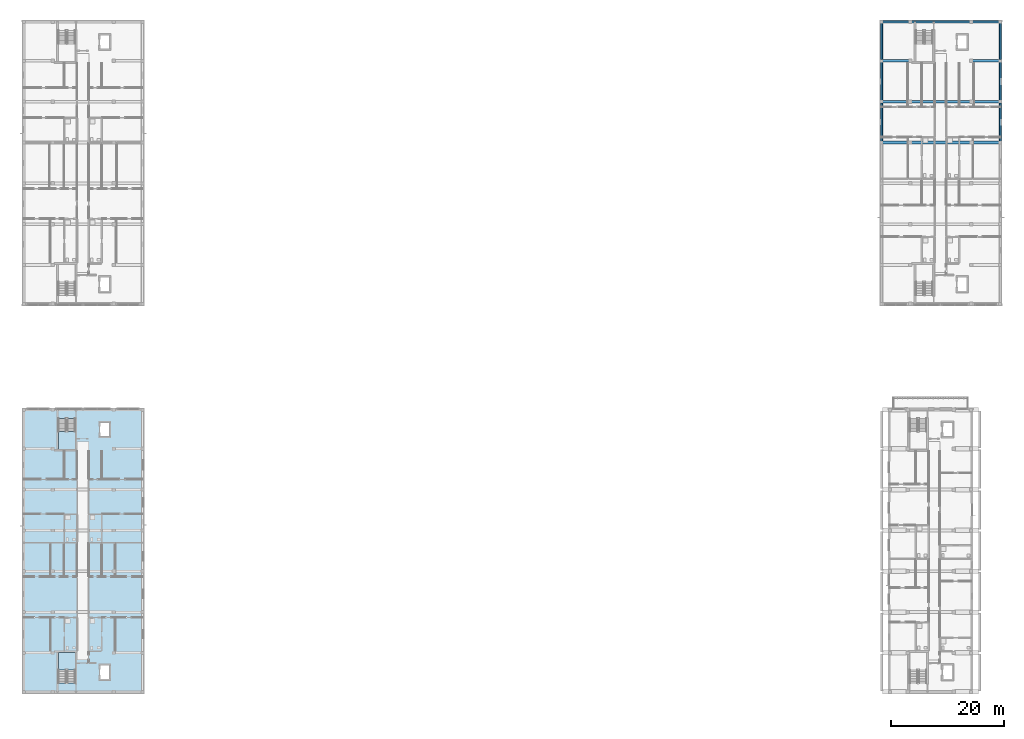
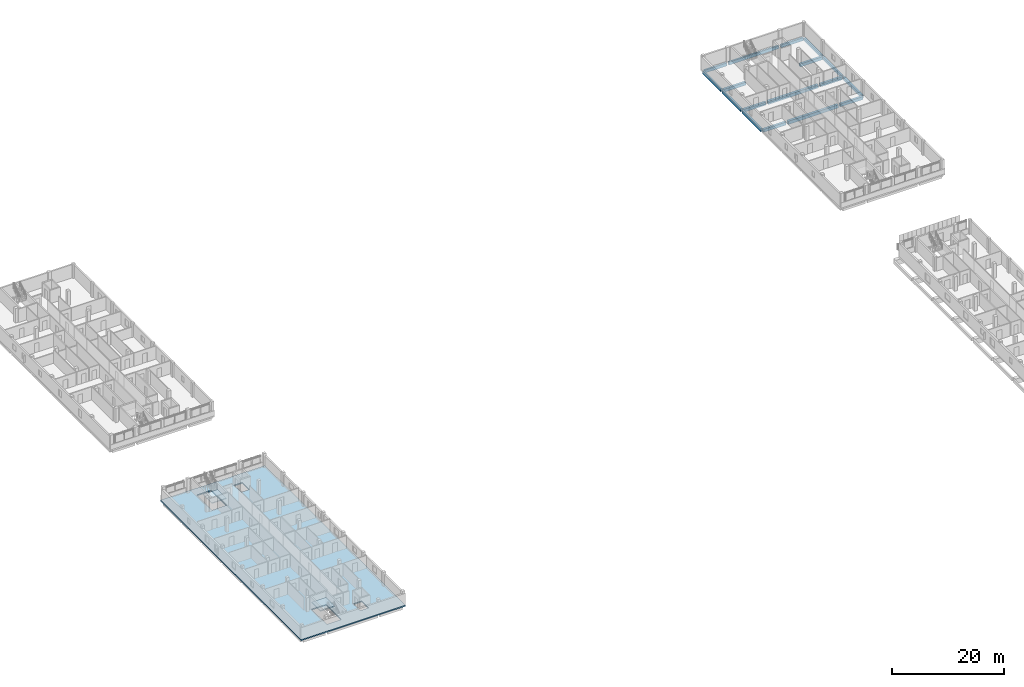
# One storey, part 9 of 38: 17 beams, 3 slabs, 2 elements without a shape of their own.
"""IFC4 building model written with IfcOpenShell, lengths in metres."""

from ifc_helpers import new_model, si_unit, derived_unit, direction, frame, origin, origin_2d, place, context, subcontext, project, spatial, polyline, rectangle, outline, extrude, material, layer, layer_set, material_profile, profile_set, type_object, element, aggregate, save


model = new_model("IFC4")

# Units and contexts
model_context = context("Model", 3, precision=1e-05, world=origin(), true_north=direction((0.0, 1.0)))
body_context = subcontext(model_context, "Body", "Model", "MODEL_VIEW")
ifc_project = project(units=[si_unit("LENGTHUNIT", "METRE"), si_unit("AREAUNIT", "SQUARE_METRE"), si_unit("VOLUMEUNIT", "CUBIC_METRE"), si_unit("PLANEANGLEUNIT", "RADIAN"), si_unit("MASSUNIT", "GRAM", prefix="KILO"), derived_unit("THERMALTRANSMITTANCEUNIT", [(si_unit("MASSUNIT", "GRAM", prefix="KILO"), 1), (si_unit("TIMEUNIT", "SECOND"), -3), (si_unit("THERMODYNAMICTEMPERATUREUNIT", "KELVIN"), -1)])], contexts=[model_context])

# Site, building, storey
site_placement = place(None, origin())
site = spatial("IfcSite", under=ifc_project, at=site_placement, CompositionType="ELEMENT")
building_placement = place(site_placement, origin())
building = spatial("IfcBuilding", under=site, at=building_placement, Name="Ochrekiln Boulevard Commons", CompositionType="ELEMENT")
storey_placement = place(building_placement, frame((0.0, 0.0, 24.675048828125)))
storey = spatial("IfcBuildingStorey", under=building, at=storey_placement, Name="L07", CompositionType="ELEMENT", Elevation=24.675048828125)

# Beams
ifc_material_1 = material(Name="Concrete C35/45", Category="concrete")
ifc_material_profile_1 = material_profile(ifc_material_1, rectangle(XDim=0.449951171875, YDim=0.64990234375, at=origin_2d()), Name="RC-BM-450x650")
ifc_profile_set_1 = profile_set([ifc_material_profile_1], Name="Concrete C35/45")
beam_type_1 = type_object("IfcBeamType", Name="BM-RC-450x650", PredefinedType="BEAM", material=ifc_profile_set_1)
for number, where, z_axis, x_axis, name in (
    (1, (151.760009765625, 97.199951171875, -0.5849609375), (1.0, 0.0, 0.0), (0.0, 1.0, 0.0), "Block B L07 Beam B-4565 X12"),
    (2, (167.610107421875, 97.199951171875, -0.5849609375), (1.0, 0.0, 0.0), (0.0, 1.0, 0.0), "Block B L07 Beam B-4565 X14"),
    (3, (151.760009765625, 104.39990234375, -0.5849609375), (1.0, 0.0, 0.0), (0.0, 1.0, 0.0), "Block B L07 Beam B-4565 X15"),
    (4, (167.610107421875, 104.39990234375, -0.5849609375), (1.0, 0.0, 0.0), (0.0, 1.0, 0.0), "Block B L07 Beam B-4565 X17"),
    (5, (151.760009765625, 111.60009765625, -0.5849609375), (1.0, 0.0, 0.0), (0.0, 1.0, 0.0), "Block B L07 Beam B-4565 X18"),
    (6, (167.610107421875, 111.60009765625, -0.5849609375), (1.0, 0.0, 0.0), (0.0, 1.0, 0.0), "Block B L07 Beam B-4565 X19"),
):
    element("IfcBeam", number, at=place(storey_placement, frame(where, z_axis=z_axis, x_axis=x_axis)), inside=storey, type_object=beam_type_1, Name=name, PredefinedType="BEAM", context=body_context, shape_type="SweptSolid", body=[
        extrude(rectangle(XDim=0.449951171875, YDim=0.64990234375, at=origin_2d()), origin(), (0.0, 0.0, 1.0), 4.6298828125),
    ])
ifc_material_2 = material(Name="Concrete C40/50", Category="concrete")
ifc_material_profile_2 = material_profile(ifc_material_2, rectangle(XDim=0.5, YDim=0.699951171875, at=origin_2d()), Name="RC-BM-500x700")
ifc_profile_set_2 = profile_set([ifc_material_profile_2], Name="Concrete C40/50")
beam_type_2 = type_object("IfcBeamType", Name="BM-RC-500x700", PredefinedType="BEAM", material=ifc_profile_set_2)
for number, where, z_axis, x_axis, name in (
    (7, (156.81005859375, 97.199951171875, -0.610107421875), (1.0, 0.0, 0.0), (0.0, 1.0, 0.0), "Block B L07 Beam B-5070 X13"),
    (8, (156.81005859375, 104.39990234375, -0.610107421875), (1.0, 0.0, 0.0), (0.0, 1.0, 0.0), "Block B L07 Beam B-5070 X16"),
):
    element("IfcBeam", number, at=place(storey_placement, frame(where, z_axis=z_axis, x_axis=x_axis)), inside=storey, type_object=beam_type_2, Name=name, PredefinedType="BEAM", context=body_context, shape_type="SweptSolid", body=[
        extrude(rectangle(XDim=0.5, YDim=0.699951171875, at=origin_2d()), origin(), (0.0, 0.0, 1.0), 10.3798828125),
    ])
ifc_material_profile_3 = material_profile(ifc_material_2, rectangle(XDim=0.35009765625, YDim=0.64990234375, at=origin_2d()), Name="RC-SPN-350x650")
ifc_profile_set_3 = profile_set([ifc_material_profile_3], Name="Concrete C40/50")
beam_type_3 = type_object("IfcBeamType", Name="SPN-RC-350x650", PredefinedType="SPANDREL", material=ifc_profile_set_3)
beam_1_placement = place(storey_placement, frame((151.760009765625, 118.449951171875, -0.5849609375), z_axis=(1.0, 0.0, 0.0), x_axis=(0.0, 1.0, 0.0)))
element("IfcBeam", 9, at=beam_1_placement, inside=storey, type_object=beam_type_3, Name="Block B L07 Beam SP-3565 X20", PredefinedType="SPANDREL", context=body_context, shape_type="SweptSolid", body=[
    extrude(rectangle(XDim=0.35009765625, YDim=0.64990234375, at=origin_2d()), origin(), (0.0, 0.0, 1.0), 4.6298828125),
])
beam_2_placement = place(storey_placement, frame((156.81005859375, 118.449951171875, -0.5849609375), z_axis=(1.0, 0.0, 0.0), x_axis=(0.0, 1.0, 0.0)))
element("IfcBeam", 10, at=beam_2_placement, inside=storey, type_object=beam_type_3, Name="Block B L07 Beam SP-3565 X21", PredefinedType="SPANDREL", context=body_context, shape_type="SweptSolid", body=[
    extrude(rectangle(XDim=0.35009765625, YDim=0.64990234375, at=origin_2d()), origin(), (0.0, 0.0, 1.0), 10.3798828125),
])
beam_3_placement = place(storey_placement, frame((167.610107421875, 118.449951171875, -0.5849609375), z_axis=(1.0, 0.0, 0.0), x_axis=(0.0, 1.0, 0.0)))
element("IfcBeam", 11, at=beam_3_placement, inside=storey, type_object=beam_type_3, Name="Block B L07 Beam SP-3565 X22", PredefinedType="SPANDREL", context=body_context, shape_type="SweptSolid", body=[
    extrude(rectangle(XDim=0.35009765625, YDim=0.64990234375, at=origin_2d()), origin(), (0.0, 0.0, 1.0), 4.6298828125),
])
beam_4_placement = place(storey_placement, frame((151.550048828125, 97.409912109375, -0.5849609375), z_axis=(0.0, 1.0, 0.0), x_axis=(-1.0, 0.0, 0.0)))
element("IfcBeam", 12, at=beam_4_placement, inside=storey, type_object=beam_type_3, Name="Block B L07 Beam SP-3565 Y27", PredefinedType="SPANDREL", context=body_context, shape_type="SweptSolid", body=[
    extrude(rectangle(XDim=0.35009765625, YDim=0.64990234375, at=origin_2d()), origin(), (0.0, 0.0, 1.0), 6.780029296875),
])
beam_5_placement = place(storey_placement, frame((151.550048828125, 104.610107421875, -0.5849609375), z_axis=(0.0, 1.0, 0.0), x_axis=(-1.0, 0.0, 0.0)))
element("IfcBeam", 13, at=beam_5_placement, inside=storey, type_object=beam_type_3, Name="Block B L07 Beam SP-3565 Y28", PredefinedType="SPANDREL", context=body_context, shape_type="SweptSolid", body=[
    extrude(rectangle(XDim=0.35009765625, YDim=0.64990234375, at=origin_2d()), origin(), (0.0, 0.0, 1.0), 6.77978515625),
])
beam_6_placement = place(storey_placement, frame((151.550048828125, 111.81005859375, -0.5849609375), z_axis=(0.0, 1.0, 0.0), x_axis=(-1.0, 0.0, 0.0)))
element("IfcBeam", 14, at=beam_6_placement, inside=storey, type_object=beam_type_3, Name="Block B L07 Beam SP-3565 Y29", PredefinedType="SPANDREL", context=body_context, shape_type="SweptSolid", body=[
    extrude(rectangle(XDim=0.35009765625, YDim=0.64990234375, at=origin_2d()), origin(), (0.0, 0.0, 1.0), 6.429931640625),
])
beam_7_placement = place(storey_placement, frame((172.449951171875, 97.409912109375, -0.5849609375), z_axis=(0.0, 1.0, 0.0), x_axis=(-1.0, 0.0, 0.0)))
element("IfcBeam", 15, at=beam_7_placement, inside=storey, type_object=beam_type_3, Name="Block B L07 Beam SP-3565 Y34", PredefinedType="SPANDREL", context=body_context, shape_type="SweptSolid", body=[
    extrude(rectangle(XDim=0.35009765625, YDim=0.64990234375, at=origin_2d()), origin(), (0.0, 0.0, 1.0), 6.780029296875),
])
beam_8_placement = place(storey_placement, frame((172.449951171875, 104.610107421875, -0.5849609375), z_axis=(0.0, 1.0, 0.0), x_axis=(-1.0, 0.0, 0.0)))
element("IfcBeam", 16, at=beam_8_placement, inside=storey, type_object=beam_type_3, Name="Block B L07 Beam SP-3565 Y35", PredefinedType="SPANDREL", context=body_context, shape_type="SweptSolid", body=[
    extrude(rectangle(XDim=0.35009765625, YDim=0.64990234375, at=origin_2d()), origin(), (0.0, 0.0, 1.0), 6.77978515625),
])
beam_9_placement = place(storey_placement, frame((172.449951171875, 111.81005859375, -0.5849609375), z_axis=(0.0, 1.0, 0.0), x_axis=(-1.0, 0.0, 0.0)))
element("IfcBeam", 17, at=beam_9_placement, inside=storey, type_object=beam_type_3, Name="Block B L07 Beam SP-3565 Y36", PredefinedType="SPANDREL", context=body_context, shape_type="SweptSolid", body=[
    extrude(rectangle(XDim=0.35009765625, YDim=0.64990234375, at=origin_2d()), origin(), (0.0, 0.0, 1.0), 6.429931640625),
])

# Stair, slab
stair_type = type_object("IfcStairType", Name="STR-DL-315", PredefinedType="TWO_STRAIGHT_RUN_STAIR", material=ifc_material_1)
stair_1_placement = place(storey_placement, origin())
stair_1 = element("IfcStair", 18, at=stair_1_placement, inside=storey, type_object=stair_type, Name="L07 Enclosed Exit Stair ST-D1", PredefinedType="TWO_STRAIGHT_RUN_STAIR")
ifc_layer_1 = layer(ifc_material_1, 0.199951171875)
ifc_layer_set_1 = layer_set([ifc_layer_1], Name="Concrete C35/45")
slab_type_1 = type_object("IfcSlabType", Name="SLB-LND-200", PredefinedType="LANDING", material=ifc_layer_set_1)
slab_1_placement = place(storey_placement, frame((0.0, 0.0, 1.375)))
slab_1 = element("IfcSlab", 19, at=slab_1_placement, type_object=slab_type_1, Name="ST-D1 landing 1", PredefinedType="LANDING", context=body_context, shape_type="SweptSolid", body=[
    extrude(outline(polyline([(9.39990234375, 4.18994140625), (9.39990234375, 7.320068359375), (6.39990234375, 7.320068359375), (6.39990234375, 4.18994140625), (9.39990234375, 4.18994140625)])), origin(), (0.0, 0.0, 1.0), 0.199951171875),
])
aggregate(stair_1, [slab_1])

stair_2_placement = place(storey_placement, origin())
stair_2 = element("IfcStair", 20, at=stair_2_placement, inside=storey, type_object=stair_type, Name="L07 Enclosed Exit Stair ST-D2", PredefinedType="TWO_STRAIGHT_RUN_STAIR")
slab_2_placement = place(storey_placement, frame((0.0, 0.0, 1.375)))
slab_2 = element("IfcSlab", 21, at=slab_2_placement, type_object=slab_type_1, Name="ST-D2 landing 1", PredefinedType="LANDING", context=body_context, shape_type="SweptSolid", body=[
    extrude(outline(polyline([(6.39990234375, 46.2099609375), (6.39990234375, 43.080078125), (9.39990234375, 43.080078125), (9.39990234375, 46.2099609375), (6.39990234375, 46.2099609375)])), origin(), (0.0, 0.0, 1.0), 0.199951171875),
])
aggregate(stair_2, [slab_2])

# Slab
ifc_layer_2 = layer(ifc_material_1, 0.260009765625)
ifc_layer_set_2 = layer_set([ifc_layer_2], Name="Concrete C35/45")
slab_type_2 = type_object("IfcSlabType", Name="SLB-RES-260", PredefinedType="FLOOR", material=ifc_layer_set_2)
slab_3_placement = place(storey_placement, frame((0.0, 0.0, -0.260009765625)))
element("IfcSlab", 22, at=slab_3_placement, inside=storey, type_object=slab_type_2, Name="Block D L07 Reinforced Concrete Floor Slab", PredefinedType="FLOOR", context=body_context, shape_type="SweptSolid", body=[
    extrude(outline(polyline([(0.0, 0.0), (21.60009765625, 0.0), (21.60009765625, 50.39990234375), (0.0, 50.39990234375), (0.0, 0.0)]), holes=[polyline([(9.39990234375, 1.87060546875), (9.39990234375, 7.320068359375), (6.39990234375, 7.320068359375), (6.39990234375, 1.87060546875), (9.39990234375, 1.87060546875)]), polyline([(6.39990234375, 48.529541015625), (6.39990234375, 43.080078125), (9.39990234375, 43.080078125), (9.39990234375, 48.529541015625), (6.39990234375, 48.529541015625)]), polyline([(13.75, 2.550048828125), (15.449951171875, 2.550048828125), (15.449951171875, 5.050048828125), (13.75, 5.050048828125), (13.75, 2.550048828125)]), polyline([(13.75, 45.35009765625), (15.449951171875, 45.35009765625), (15.449951171875, 47.85009765625), (13.75, 47.85009765625), (13.75, 45.35009765625)])]), origin(), (0.0, 0.0, 1.0), 0.260009765625),
])

save(model, "model.ifc")
